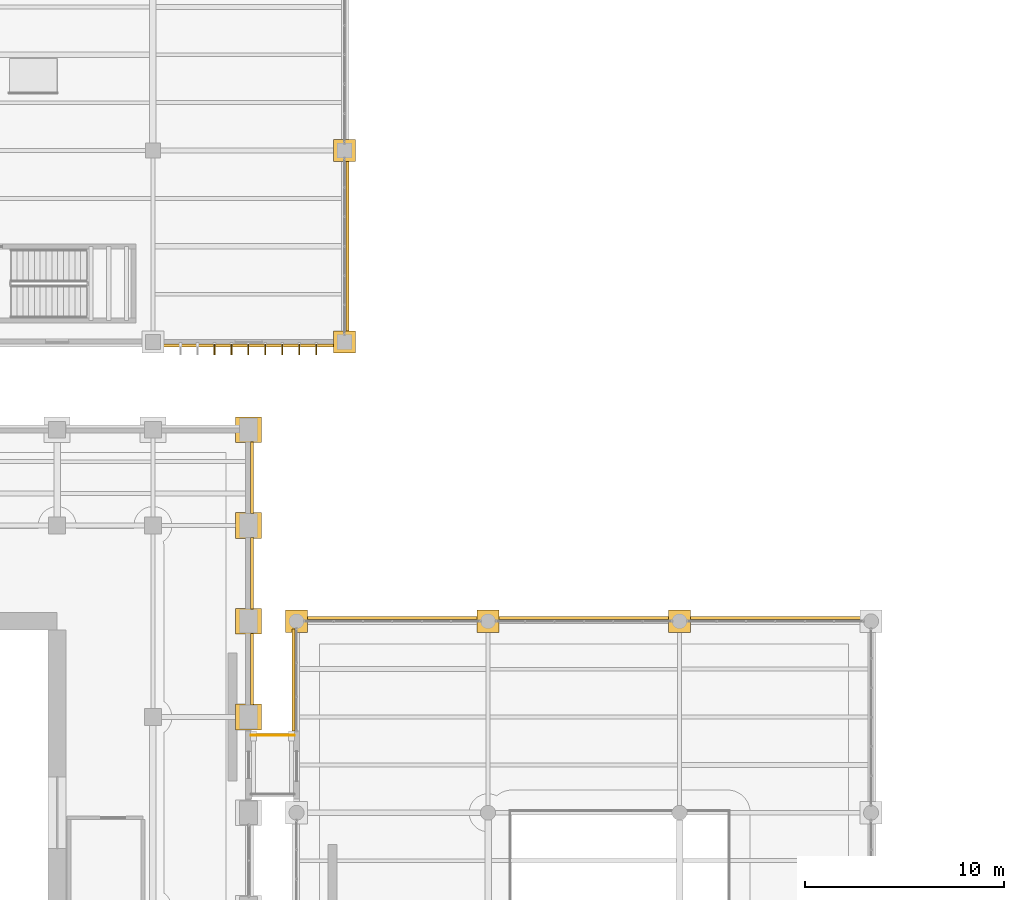
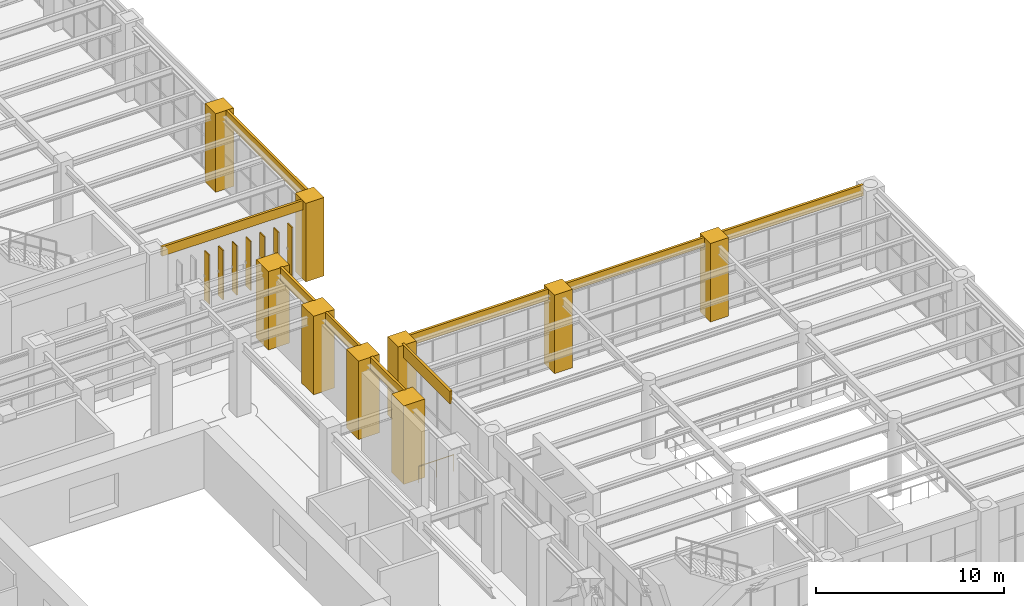
# One storey, part 167 of 174: 18 coverings, 7 shading devices, 1 railing.
"""IFC4 building model written with IfcOpenShell, lengths in metres."""

import ifcopenshell
import ifcopenshell.guid

model = None  # the IFC model being written
_history = None  # IfcOwnerHistory: only IFC2X3 demands one
_inside = {}  # id of a spatial element -> (the spatial element, [elements in it])
_under = {}  # id of a project, library or spatial element -> (it, [spatial elements below it])
_declared = {}  # id of a project -> (the project, [libraries it declares])
_typed = {}  # id of a type object -> (the type object, [elements of that type])
_made_of = {}  # id of a material, layer set ... -> (it, [elements and type objects made of it])


def new_model(schema):
    """Start an empty IFC model of exactly this schema.

    Asked for "IFC4X3", IfcOpenShell would pick the latest addendum, in which some entities
    have other attributes; the version numbers below select the first issue.
    IFC2X3 requires an IfcOwnerHistory on every rooted entity: one is made here for all.
    """
    global model, _history
    if schema == "IFC4X3":
        model = ifcopenshell.file(schema_version=(4, 3, 0, 0))
    else:
        model = ifcopenshell.file(schema=schema)
    _inside.clear()
    _under.clear()
    _declared.clear()
    _typed.clear()
    _made_of.clear()
    _history = None
    if model.schema == "IFC2X3":
        org = make("IfcOrganization", Name="unknown")
        user = make(
            "IfcPersonAndOrganization",
            ThePerson=make("IfcPerson", FamilyName="unknown"),
            TheOrganization=org,
        )
        app = make(
            "IfcApplication",
            ApplicationDeveloper=org,
            Version="unknown",
            ApplicationFullName="unknown",
            ApplicationIdentifier="unknown",
        )
        _history = make(
            "IfcOwnerHistory",
            OwningUser=user,
            OwningApplication=app,
            ChangeAction="ADDED",
            CreationDate=0,
        )
    return model


def make(cls, **values):
    """One entity of the class cls with the attributes given. An attribute that is None is left unset."""
    return model.create_entity(
        cls, **{name: value for name, value in values.items() if value is not None}
    )


def rooted(cls, **values):
    """An entity with a GlobalId (a new one), such as an element, a storey or a relation."""
    return make(cls, GlobalId=ifcopenshell.guid.new(), OwnerHistory=_history, **values)


def si_unit(unit_type, name, prefix=None):
    """IfcSIUnit, for example si_unit("LENGTHUNIT", "METRE", prefix="MILLI")."""
    return make("IfcSIUnit", UnitType=unit_type, Prefix=prefix, Name=name)


def assignment(units):
    """IfcUnitAssignment: the units of a project."""
    return None if units is None else make("IfcUnitAssignment", Units=units)


def point(xyz):
    """IfcCartesianPoint."""
    return None if xyz is None else make("IfcCartesianPoint", Coordinates=xyz)


def direction(xyz):
    """IfcDirection."""
    return None if xyz is None else make("IfcDirection", DirectionRatios=xyz)


def frame(location, z_axis=None, x_axis=None):
    """IfcAxis2Placement3D, a coordinate frame: its origin and axes. An axis left out is left unset."""
    return make(
        "IfcAxis2Placement3D",
        Location=point(location),
        Axis=direction(z_axis),
        RefDirection=direction(x_axis),
    )


def frame_2d(location, x_axis=None):
    """IfcAxis2Placement2D, a coordinate frame in the plane: its origin and x axis."""
    return make(
        "IfcAxis2Placement2D", Location=point(location), RefDirection=direction(x_axis)
    )


def origin():
    """The frame at (0, 0, 0) with its axes left unset."""
    return frame((0.0, 0.0, 0.0))


def origin_2d():
    """The frame at (0, 0) in the plane with its x axis left unset."""
    return frame_2d((0.0, 0.0))


def place(relative_to, where):
    """IfcLocalPlacement: puts the frame where relative to a parent placement (None: the world)."""
    return make(
        "IfcLocalPlacement", PlacementRelTo=relative_to, RelativePlacement=where
    )


def context(
    kind, dimensions, precision=None, world=None, true_north=None, identifier=None
):
    """IfcGeometricRepresentationContext, for example the 3D "Model" context."""
    return make(
        "IfcGeometricRepresentationContext",
        ContextIdentifier=identifier,
        ContextType=kind,
        CoordinateSpaceDimension=dimensions,
        Precision=precision,
        WorldCoordinateSystem=world,
        TrueNorth=true_north,
    )


def subcontext(parent, identifier, kind, view, scale=None):
    """IfcGeometricRepresentationSubContext, for example "Body" below "Model"."""
    return make(
        "IfcGeometricRepresentationSubContext",
        ContextIdentifier=identifier,
        ContextType=kind,
        ParentContext=parent,
        TargetScale=scale,
        TargetView=view,
    )


def project(units=None, contexts=None):
    """IfcProject with its units and contexts."""
    return rooted(
        "IfcProject",
        Name="project",
        RepresentationContexts=contexts,
        UnitsInContext=assignment(units),
    )


def spatial(cls, under=None, at=None, **own):
    """A site, building, storey or space (cls), placed at a placement, below another one or the project."""
    s = rooted(cls, ObjectPlacement=at, **own)
    if under is not None:
        _under.setdefault(under.id(), (under, []))[1].append(s)
    return s


def polyline(points):
    """IfcPolyline through the points."""
    return make("IfcPolyline", Points=[point(p) for p in points])


def profile(cls, at=None, kind="AREA", **sizes):
    """A parametric profile (cls). Its sizes go by their IFC names, for example OverallWidth=200.0."""
    return make(cls, ProfileType=kind, Position=at, **sizes)


def rectangle(**sizes):
    """IfcRectangleProfileDef."""
    return profile("IfcRectangleProfileDef", **sizes)


def circle(**sizes):
    """IfcCircleProfileDef."""
    return profile("IfcCircleProfileDef", **sizes)


def outline(outer, holes=None, kind="AREA"):
    """IfcArbitraryClosedProfileDef: a profile drawn as a closed curve; with holes, ...WithVoids."""
    if holes is None:
        return make("IfcArbitraryClosedProfileDef", ProfileType=kind, OuterCurve=outer)
    return make(
        "IfcArbitraryProfileDefWithVoids",
        ProfileType=kind,
        OuterCurve=outer,
        InnerCurves=holes,
    )


def extrude(swept, where, along, depth):
    """IfcExtrudedAreaSolid: the profile swept, set in the frame where, extruded along a direction by depth."""
    return make(
        "IfcExtrudedAreaSolid",
        SweptArea=swept,
        Position=where,
        ExtrudedDirection=direction(along),
        Depth=depth,
    )


def shape(context_of_items, identifier, shape_type, items):
    """IfcShapeRepresentation: the items that make up one representation, for example the "Body"."""
    return make(
        "IfcShapeRepresentation",
        ContextOfItems=context_of_items,
        RepresentationIdentifier=identifier,
        RepresentationType=shape_type,
        Items=items,
    )


def material(Name=None, Category=None):
    """IfcMaterial."""
    return make("IfcMaterial", Name=Name, Category=Category)


def layer(
    of_material, thickness, ventilated=None, Name=None, Category=None, Priority=None
):
    """IfcMaterialLayer: one layer of a wall or slab, of a material (None: an air gap)."""
    return make(
        "IfcMaterialLayer",
        Material=of_material,
        LayerThickness=thickness,
        IsVentilated=ventilated,
        Name=Name,
        Category=Category,
        Priority=Priority,
    )


def layer_set(layers, Name=None):
    """IfcMaterialLayerSet."""
    return make("IfcMaterialLayerSet", MaterialLayers=layers, LayerSetName=Name)


def made_of(thing, what):
    """Note that an element or type object is made of a material, layer set ...; save() writes the relation."""
    if what is not None:
        _made_of.setdefault(what.id(), (what, []))[1].append(thing)
    return thing


def type_object(cls, material=None, **own):
    """A type object (cls), such as IfcWallType, which elements share."""
    return made_of(rooted(cls, **own), material)


def element(
    cls,
    number,
    at=None,
    inside=None,
    cuts=None,
    type_object=None,
    material=None,
    context=None,
    identifier="Body",
    shape_type=None,
    held_by="IfcProductDefinitionShape",
    body=None,
    shapes=None,
    **own,
):
    """One element of the class cls, such as IfcWall. Its Tag is "e" and its number.

    at: its placement. inside: the storey or other place that contains it. cuts: it is an
    opening in that element (IfcRelVoidsElement). A single representation is given by context,
    identifier, shape_type and body (its items); several are given by shapes. held_by: the class
    of the entity that holds the representations. save() writes the other relations.
    """
    e = rooted(cls, Tag="e%d" % number, ObjectPlacement=at, **own)
    if body is not None:
        shapes = [shape(context, identifier, shape_type, body)]
    if shapes is not None:
        e.Representation = make(held_by, Representations=shapes)
    if inside is not None:
        _inside.setdefault(inside.id(), (inside, []))[1].append(e)
    if cuts is not None:
        rooted(
            "IfcRelVoidsElement", RelatingBuildingElement=cuts, RelatedOpeningElement=e
        )
    if type_object is not None:
        _typed.setdefault(type_object.id(), (type_object, []))[1].append(e)
    return made_of(e, material)


def aggregate(whole, parts):
    """IfcRelAggregates: a whole, such as a stair, and the parts it consists of."""
    return rooted("IfcRelAggregates", RelatingObject=whole, RelatedObjects=parts)


def save(model, path):
    """Write the relations noted so far, then the file.

    IfcRelAggregates (storeys below a building ...), IfcRelContainedInSpatialStructure (elements
    in a storey), IfcRelDefinesByType, IfcRelAssociatesMaterial and IfcRelDeclares: one each for
    every whole, place, type object, material and project.
    """
    for whole, parts in _under.values():
        aggregate(whole, parts)
    for where, things in _inside.values():
        rooted(
            "IfcRelContainedInSpatialStructure",
            RelatedElements=things,
            RelatingStructure=where,
        )
    for kind, things in _typed.values():
        rooted("IfcRelDefinesByType", RelatedObjects=things, RelatingType=kind)
    for what, things in _made_of.values():
        rooted("IfcRelAssociatesMaterial", RelatedObjects=things, RelatingMaterial=what)
    for by, libraries in _declared.values():
        rooted("IfcRelDeclares", RelatingContext=by, RelatedDefinitions=libraries)
    model.write(path)


model = new_model("IFC4")

# Units and contexts
model_context = context("Model", 3, precision=1e-05, world=origin(), true_north=direction((0.0, 1.0)))
body_context = subcontext(model_context, "Body", "Model", "MODEL_VIEW")
ifc_project = project(units=[si_unit("LENGTHUNIT", "METRE"), si_unit("AREAUNIT", "SQUARE_METRE"), si_unit("VOLUMEUNIT", "CUBIC_METRE"), si_unit("PLANEANGLEUNIT", "RADIAN"), si_unit("MASSUNIT", "GRAM", prefix="KILO")], contexts=[model_context])

# Site, building, storey
site_placement = place(None, origin())
site = spatial("IfcSite", under=ifc_project, at=site_placement, CompositionType="ELEMENT")
building_placement = place(site_placement, origin())
building = spatial("IfcBuilding", under=site, at=building_placement, Name="Mavantir Sound Aquarium", CompositionType="ELEMENT")
storey_placement = place(building_placement, frame((0.0, 0.0, 5.39990234375)))
storey = spatial("IfcBuildingStorey", under=building, at=storey_placement, Name="L01", CompositionType="ELEMENT", Elevation=5.39990234375)

# Coverings
ifc_material_1 = material(Name="Honed Coral-Limestone & Glazed Terracotta Rainscreen Cladding", Category="masonry")
ifc_layer = layer(ifc_material_1, 0.06005859375, Name="Honed Coral-Limestone & Glazed Terracotta Rainscreen Cladding")
ifc_layer_set = layer_set([ifc_layer], Name="Honed Coral-Limestone & Glazed Terracotta Rainscreen Cladding")
covering_type = type_object("IfcCoveringType", Name="COV-CLAD-TC", PredefinedType="CLADDING", material=ifc_layer_set)
covering_1_placement = place(storey_placement, frame((0.0, 0.0, 4.30810546875)))
element("IfcCovering", 1, at=covering_1_placement, inside=storey, type_object=covering_type, Name="L01 Postmodern coral-limestone spandrel frieze 159", PredefinedType="CLADDING", context=body_context, shape_type="SweptSolid", body=[
    extrude(outline(polyline([(33.68994140625, 65.407958984375), (33.68994140625, 68.991943359375), (33.840087890625, 68.991943359375), (33.840087890625, 65.407958984375), (33.68994140625, 65.407958984375)])), origin(), (0.0, 0.0, 1.0), 0.7919921875),
])
covering_2_placement = place(storey_placement, frame((0.0, 0.0, 4.30810546875)))
element("IfcCovering", 2, at=covering_2_placement, inside=storey, type_object=covering_type, Name="L01 Postmodern coral-limestone spandrel frieze 160", PredefinedType="CLADDING", context=body_context, shape_type="SweptSolid", body=[
    extrude(outline(polyline([(33.68994140625, 70.2080078125), (33.68994140625, 73.7919921875), (33.840087890625, 73.7919921875), (33.840087890625, 70.2080078125), (33.68994140625, 70.2080078125)])), origin(), (0.0, 0.0, 1.0), 0.7919921875),
])
covering_3_placement = place(storey_placement, frame((0.0, 0.0, 4.26318359375)))
element("IfcCovering", 3, at=covering_3_placement, inside=storey, type_object=covering_type, Name="L01 Postmodern coral-limestone spandrel frieze 161", PredefinedType="CLADDING", context=body_context, shape_type="SweptSolid", body=[
    extrude(outline(polyline([(33.68994140625, 75.008056640625), (33.68994140625, 78.592041015625), (33.840087890625, 78.592041015625), (33.840087890625, 75.008056640625), (33.68994140625, 75.008056640625)])), origin(), (0.0, 0.0, 1.0), 0.8369140625),
])
covering_4_placement = place(storey_placement, frame((0.0, 0.0, 4.38818359375)))
element("IfcCovering", 4, at=covering_4_placement, inside=storey, type_object=covering_type, Name="L01 Postmodern coral-limestone spandrel frieze 185", PredefinedType="CLADDING", context=body_context, shape_type="SweptSolid", body=[
    extrude(outline(polyline([(64.4169921875, 69.68994140625), (55.5830078125, 69.68994140625), (55.5830078125, 69.840087890625), (64.4169921875, 69.840087890625), (64.4169921875, 69.68994140625)])), origin(), (0.0, 0.0, 1.0), 0.7119140625),
])
covering_5_placement = place(storey_placement, frame((0.0, 0.0, 4.4931640625)))
element("IfcCovering", 5, at=covering_5_placement, inside=storey, type_object=covering_type, Name="L01 Postmodern coral-limestone spandrel frieze 186", PredefinedType="CLADDING", context=body_context, shape_type="SweptSolid", body=[
    extrude(outline(polyline([(54.81689453125, 69.68994140625), (45.98291015625, 69.68994140625), (45.98291015625, 69.840087890625), (54.81689453125, 69.840087890625), (54.81689453125, 69.68994140625)])), origin(), (0.0, 0.0, 1.0), 0.60693359375),
])
covering_6_placement = place(storey_placement, frame((0.0, 0.0, 4.38818359375)))
element("IfcCovering", 6, at=covering_6_placement, inside=storey, type_object=covering_type, Name="L01 Postmodern coral-limestone spandrel frieze 187", PredefinedType="CLADDING", context=body_context, shape_type="SweptSolid", body=[
    extrude(outline(polyline([(45.217041015625, 69.68994140625), (36.383056640625, 69.68994140625), (36.383056640625, 69.840087890625), (45.217041015625, 69.840087890625), (45.217041015625, 69.68994140625)])), origin(), (0.0, 0.0, 1.0), 0.7119140625),
])
covering_7_placement = place(storey_placement, frame((0.0, 0.0, 4.279052734375)))
element("IfcCovering", 7, at=covering_7_placement, inside=storey, type_object=covering_type, Name="L01 Postmodern coral-limestone spandrel frieze 188", PredefinedType="CLADDING", context=body_context, shape_type="SweptSolid", body=[
    extrude(outline(polyline([(35.909912109375, 69.217041015625), (35.909912109375, 64.10498046875), (35.760009765625, 64.10498046875), (35.760009765625, 69.217041015625), (35.909912109375, 69.217041015625)])), origin(), (0.0, 0.0, 1.0), 0.821044921875),
])
covering_8_placement = place(storey_placement, frame((0.0, 0.0, 4.279052734375)))
element("IfcCovering", 8, at=covering_8_placement, inside=storey, type_object=covering_type, Name="L01 Postmodern coral-limestone spandrel frieze 243", PredefinedType="CLADDING", context=body_context, shape_type="SweptSolid", body=[
    extrude(outline(polyline([(38.489990234375, 83.98291015625), (38.489990234375, 92.81689453125), (38.639892578125, 92.81689453125), (38.639892578125, 83.98291015625), (38.489990234375, 83.98291015625)])), origin(), (0.0, 0.0, 1.0), 0.821044921875),
])
covering_9_placement = place(storey_placement, frame((0.0, 0.0, 4.4931640625)))
element("IfcCovering", 9, at=covering_9_placement, inside=storey, type_object=covering_type, Name="L01 Postmodern coral-limestone spandrel frieze 259", PredefinedType="CLADDING", context=body_context, shape_type="SweptSolid", body=[
    extrude(outline(polyline([(29.18310546875, 83.510009765625), (38.01708984375, 83.510009765625), (38.01708984375, 83.360107421875), (29.18310546875, 83.360107421875), (29.18310546875, 83.510009765625)])), origin(), (0.0, 0.0, 1.0), 0.60693359375),
])
covering_10_placement = place(storey_placement, origin())
element("IfcCovering", 10, at=covering_10_placement, inside=storey, type_object=covering_type, Name="L01 Postmodern coral-limestone pilaster casing 106", PredefinedType="CLADDING", context=body_context, shape_type="SweptSolid", body=[
    extrude(outline(polyline([(32.949951171875, 64.14990234375), (34.25, 64.14990234375), (34.25, 65.449951171875), (32.949951171875, 65.449951171875), (32.949951171875, 64.14990234375)])), origin(), (0.0, 0.0, 1.0), 5.10009765625),
])
covering_11_placement = place(storey_placement, origin())
element("IfcCovering", 11, at=covering_11_placement, inside=storey, type_object=covering_type, Name="L01 Postmodern coral-limestone pilaster casing 110", PredefinedType="CLADDING", context=body_context, shape_type="SweptSolid", body=[
    extrude(outline(polyline([(32.949951171875, 68.949951171875), (34.25, 68.949951171875), (34.25, 70.25), (32.949951171875, 70.25), (32.949951171875, 68.949951171875)])), origin(), (0.0, 0.0, 1.0), 5.10009765625),
])
covering_12_placement = place(storey_placement, origin())
element("IfcCovering", 12, at=covering_12_placement, inside=storey, type_object=covering_type, Name="L01 Postmodern coral-limestone pilaster casing 114", PredefinedType="CLADDING", context=body_context, shape_type="SweptSolid", body=[
    extrude(outline(polyline([(32.949951171875, 73.75), (34.25, 73.75), (34.25, 75.050048828125), (32.949951171875, 75.050048828125), (32.949951171875, 73.75)])), origin(), (0.0, 0.0, 1.0), 5.10009765625),
])
covering_13_placement = place(storey_placement, origin())
element("IfcCovering", 13, at=covering_13_placement, inside=storey, type_object=covering_type, Name="L01 Postmodern coral-limestone pilaster casing 118", PredefinedType="CLADDING", context=body_context, shape_type="SweptSolid", body=[
    extrude(outline(polyline([(32.949951171875, 78.550048828125), (34.25, 78.550048828125), (34.25, 79.85009765625), (32.949951171875, 79.85009765625), (32.949951171875, 78.550048828125)])), origin(), (0.0, 0.0, 1.0), 5.10009765625),
])
covering_14_placement = place(storey_placement, origin())
element("IfcCovering", 14, at=covering_14_placement, inside=storey, type_object=covering_type, Name="L01 Postmodern coral-limestone pilaster casing 133", PredefinedType="CLADDING", context=body_context, shape_type="SweptSolid", body=[
    extrude(outline(polyline([(35.43994140625, 69.0400390625), (36.56005859375, 69.0400390625), (36.56005859375, 70.159912109375), (35.43994140625, 70.159912109375), (35.43994140625, 69.0400390625)])), origin(), (0.0, 0.0, 1.0), 5.10009765625),
])
covering_15_placement = place(storey_placement, origin())
element("IfcCovering", 15, at=covering_15_placement, inside=storey, type_object=covering_type, Name="L01 Postmodern coral-limestone pilaster casing 141", PredefinedType="CLADDING", context=body_context, shape_type="SweptSolid", body=[
    extrude(outline(polyline([(45.0400390625, 69.0400390625), (46.159912109375, 69.0400390625), (46.159912109375, 70.159912109375), (45.0400390625, 70.159912109375), (45.0400390625, 69.0400390625)])), origin(), (0.0, 0.0, 1.0), 5.10009765625),
])
covering_16_placement = place(storey_placement, origin())
element("IfcCovering", 16, at=covering_16_placement, inside=storey, type_object=covering_type, Name="L01 Postmodern coral-limestone pilaster casing 150", PredefinedType="CLADDING", context=body_context, shape_type="SweptSolid", body=[
    extrude(outline(polyline([(54.639892578125, 69.0400390625), (55.760009765625, 69.0400390625), (55.760009765625, 70.159912109375), (54.639892578125, 70.159912109375), (54.639892578125, 69.0400390625)])), origin(), (0.0, 0.0, 1.0), 5.10009765625),
])
covering_17_placement = place(storey_placement, origin())
element("IfcCovering", 17, at=covering_17_placement, inside=storey, type_object=covering_type, Name="L01 Postmodern coral-limestone pilaster casing 408", PredefinedType="CLADDING", context=body_context, shape_type="SweptSolid", body=[
    extrude(outline(polyline([(37.840087890625, 83.0400390625), (38.9599609375, 83.0400390625), (38.9599609375, 84.159912109375), (37.840087890625, 84.159912109375), (37.840087890625, 83.0400390625)])), origin(), (0.0, 0.0, 1.0), 5.10009765625),
])
covering_18_placement = place(storey_placement, origin())
element("IfcCovering", 18, at=covering_18_placement, inside=storey, type_object=covering_type, Name="L01 Postmodern coral-limestone pilaster casing 410", PredefinedType="CLADDING", context=body_context, shape_type="SweptSolid", body=[
    extrude(outline(polyline([(37.840087890625, 92.639892578125), (38.9599609375, 92.639892578125), (38.9599609375, 93.760009765625), (37.840087890625, 93.760009765625), (37.840087890625, 92.639892578125)])), origin(), (0.0, 0.0, 1.0), 5.10009765625),
])

# Railing
ifc_material_2 = material(Name="Stainless Steel 316 Bridge Balustrade", Category="steel")
railing_type = type_object("IfcRailingType", Name="RL-BAL-110", PredefinedType="BALUSTRADE", material=ifc_material_2)
railing_placement = place(storey_placement, frame((33.719970703125, 63.8798828125, 0.0)))
element("IfcRailing", 19, at=railing_placement, inside=storey, type_object=railing_type, Name="L01 bridge N guardrail 5", PredefinedType="BALUSTRADE", context=body_context, shape_type="SweptSolid", body=[
    extrude(circle(Radius=0.02392578125, at=origin_2d()), frame((0.0, 0.0, 1.076171875), z_axis=(1.0, 0.0, 0.0), x_axis=(0.0, 1.0, 0.0)), (0.0, 0.0, 1.0), 2.159912109375),
    extrude(circle(Radius=0.02099609375, at=origin_2d()), origin(), (0.0, 0.0, 1.0), 1.052001953125),
    extrude(circle(Radius=0.02099609375, at=origin_2d()), frame((1.080078125, 0.0, 0.0)), (0.0, 0.0, 1.0), 1.052001953125),
    extrude(circle(Radius=0.02099609375, at=origin_2d()), frame((2.159912109375, 0.0, 0.0)), (0.0, 0.0, 1.0), 1.052001953125),
])

# Shading devices
ifc_material_3 = material(Name="Anodised Terracotta-Finish Aluminium Brise-Soleil", Category="masonry")
shading_device_type = type_object("IfcShadingDeviceType", Name="SHD-FIN-520", PredefinedType="JALOUSIE", material=ifc_material_3)
for number, where, z_axis, x_axis, name in (
    (20, (31.883056640625, 83.22509765625, 0.67138671875), (0.0, 0.0, 1.0), (-1.0, 0.0, 0.0), "Tropical solar brise-soleil fin 22"),
    (21, (32.73291015625, 83.22509765625, 0.67138671875), (0.0, 0.0, 1.0), (-1.0, 0.0, 0.0), "Tropical solar brise-soleil fin 23"),
    (22, (33.5830078125, 83.22509765625, 0.67138671875), (0.0, 0.0, 1.0), (-1.0, 0.0, 0.0), "Tropical solar brise-soleil fin 24"),
    (23, (34.43310546875, 83.22509765625, 0.67138671875), (0.0, 0.0, 1.0), (-1.0, 0.0, 0.0), "Tropical solar brise-soleil fin 25"),
    (24, (35.282958984375, 83.22509765625, 0.67138671875), (0.0, 0.0, 1.0), (-1.0, 0.0, 0.0), "Tropical solar brise-soleil fin 26"),
    (25, (36.133056640625, 83.22509765625, 0.67138671875), (0.0, 0.0, 1.0), (-1.0, 0.0, 0.0), "Tropical solar brise-soleil fin 27"),
    (26, (36.98291015625, 83.22509765625, 0.67138671875), (0.0, 0.0, 1.0), (-1.0, 0.0, 0.0), "Tropical solar brise-soleil fin 28"),
):
    element("IfcShadingDevice", number, at=place(storey_placement, frame(where, z_axis=z_axis, x_axis=x_axis)), inside=storey, type_object=shading_device_type, Name=name, PredefinedType="JALOUSIE", context=body_context, shape_type="SweptSolid", body=[
        extrude(rectangle(XDim=0.06494140625, YDim=0.52001953125, at=origin_2d()), origin(), (0.0, 0.0, 1.0), 3.199951171875),
    ])

save(model, "model.ifc")
